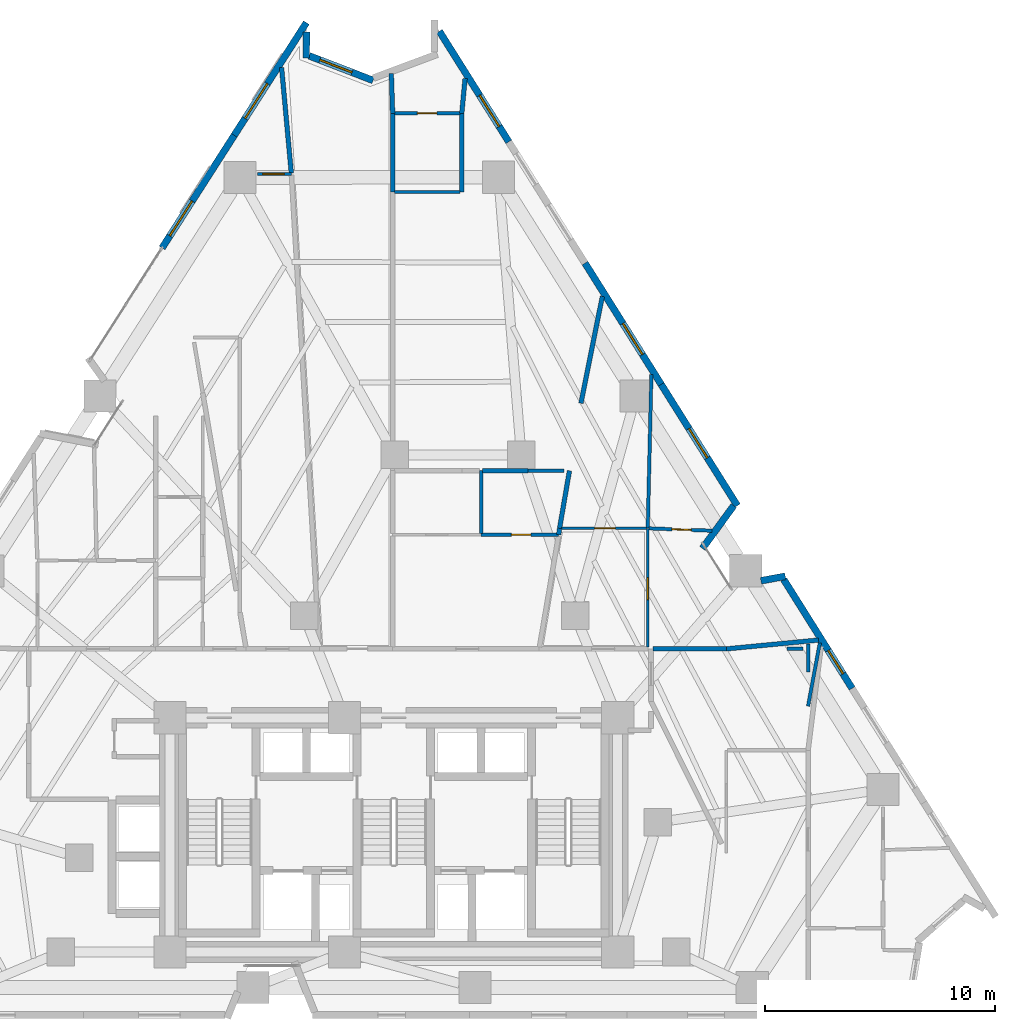
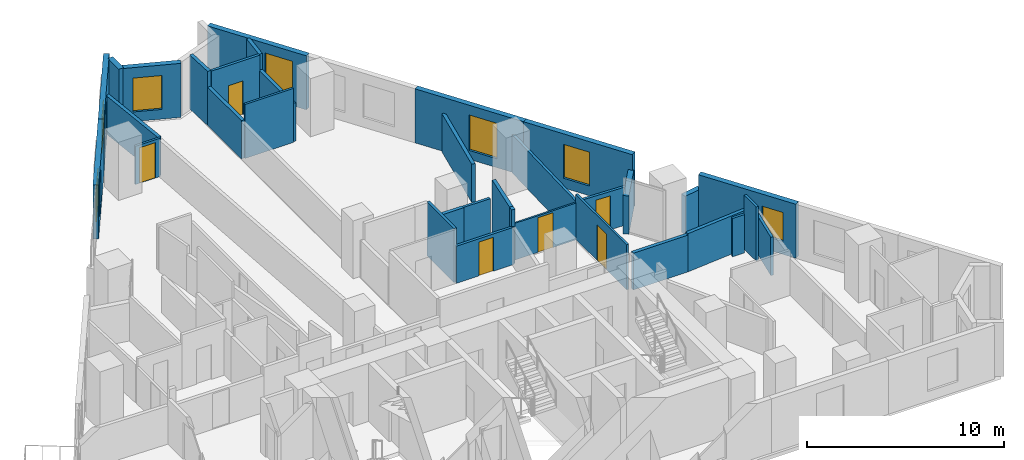
# One storey, part 9 of 14: 34 walls, 7 windows, 6 doors, 13 openings.
"""IFC4 building model written with IfcOpenShell, lengths in metres."""

import ifcopenshell
import ifcopenshell.guid

model = None  # the IFC model being written
_history = None  # IfcOwnerHistory: only IFC2X3 demands one
_inside = {}  # id of a spatial element -> (the spatial element, [elements in it])
_under = {}  # id of a project, library or spatial element -> (it, [spatial elements below it])
_declared = {}  # id of a project -> (the project, [libraries it declares])
_typed = {}  # id of a type object -> (the type object, [elements of that type])
_made_of = {}  # id of a material, layer set ... -> (it, [elements and type objects made of it])


def new_model(schema):
    """Start an empty IFC model of exactly this schema.

    Asked for "IFC4X3", IfcOpenShell would pick the latest addendum, in which some entities
    have other attributes; the version numbers below select the first issue.
    IFC2X3 requires an IfcOwnerHistory on every rooted entity: one is made here for all.
    """
    global model, _history
    if schema == "IFC4X3":
        model = ifcopenshell.file(schema_version=(4, 3, 0, 0))
    else:
        model = ifcopenshell.file(schema=schema)
    _inside.clear()
    _under.clear()
    _declared.clear()
    _typed.clear()
    _made_of.clear()
    _history = None
    if model.schema == "IFC2X3":
        org = make("IfcOrganization", Name="unknown")
        user = make(
            "IfcPersonAndOrganization",
            ThePerson=make("IfcPerson", FamilyName="unknown"),
            TheOrganization=org,
        )
        app = make(
            "IfcApplication",
            ApplicationDeveloper=org,
            Version="unknown",
            ApplicationFullName="unknown",
            ApplicationIdentifier="unknown",
        )
        _history = make(
            "IfcOwnerHistory",
            OwningUser=user,
            OwningApplication=app,
            ChangeAction="ADDED",
            CreationDate=0,
        )
    return model


def make(cls, **values):
    """One entity of the class cls with the attributes given. An attribute that is None is left unset."""
    return model.create_entity(
        cls, **{name: value for name, value in values.items() if value is not None}
    )


def rooted(cls, **values):
    """An entity with a GlobalId (a new one), such as an element, a storey or a relation."""
    return make(cls, GlobalId=ifcopenshell.guid.new(), OwnerHistory=_history, **values)


def si_unit(unit_type, name, prefix=None):
    """IfcSIUnit, for example si_unit("LENGTHUNIT", "METRE", prefix="MILLI")."""
    return make("IfcSIUnit", UnitType=unit_type, Prefix=prefix, Name=name)


def assignment(units):
    """IfcUnitAssignment: the units of a project."""
    return None if units is None else make("IfcUnitAssignment", Units=units)


def point(xyz):
    """IfcCartesianPoint."""
    return None if xyz is None else make("IfcCartesianPoint", Coordinates=xyz)


def direction(xyz):
    """IfcDirection."""
    return None if xyz is None else make("IfcDirection", DirectionRatios=xyz)


def frame(location, z_axis=None, x_axis=None):
    """IfcAxis2Placement3D, a coordinate frame: its origin and axes. An axis left out is left unset."""
    return make(
        "IfcAxis2Placement3D",
        Location=point(location),
        Axis=direction(z_axis),
        RefDirection=direction(x_axis),
    )


def frame_2d(location, x_axis=None):
    """IfcAxis2Placement2D, a coordinate frame in the plane: its origin and x axis."""
    return make(
        "IfcAxis2Placement2D", Location=point(location), RefDirection=direction(x_axis)
    )


def origin():
    """The frame at (0, 0, 0) with its axes left unset."""
    return frame((0.0, 0.0, 0.0))


def place(relative_to, where):
    """IfcLocalPlacement: puts the frame where relative to a parent placement (None: the world)."""
    return make(
        "IfcLocalPlacement", PlacementRelTo=relative_to, RelativePlacement=where
    )


def context(
    kind, dimensions, precision=None, world=None, true_north=None, identifier=None
):
    """IfcGeometricRepresentationContext, for example the 3D "Model" context."""
    return make(
        "IfcGeometricRepresentationContext",
        ContextIdentifier=identifier,
        ContextType=kind,
        CoordinateSpaceDimension=dimensions,
        Precision=precision,
        WorldCoordinateSystem=world,
        TrueNorth=true_north,
    )


def subcontext(parent, identifier, kind, view, scale=None):
    """IfcGeometricRepresentationSubContext, for example "Body" below "Model"."""
    return make(
        "IfcGeometricRepresentationSubContext",
        ContextIdentifier=identifier,
        ContextType=kind,
        ParentContext=parent,
        TargetScale=scale,
        TargetView=view,
    )


def project(units=None, contexts=None):
    """IfcProject with its units and contexts."""
    return rooted(
        "IfcProject",
        Name="project",
        RepresentationContexts=contexts,
        UnitsInContext=assignment(units),
    )


def spatial(cls, under=None, at=None, **own):
    """A site, building, storey or space (cls), placed at a placement, below another one or the project."""
    s = rooted(cls, ObjectPlacement=at, **own)
    if under is not None:
        _under.setdefault(under.id(), (under, []))[1].append(s)
    return s


def profile(cls, at=None, kind="AREA", **sizes):
    """A parametric profile (cls). Its sizes go by their IFC names, for example OverallWidth=200.0."""
    return make(cls, ProfileType=kind, Position=at, **sizes)


def rectangle(**sizes):
    """IfcRectangleProfileDef."""
    return profile("IfcRectangleProfileDef", **sizes)


def extrude(swept, where, along, depth):
    """IfcExtrudedAreaSolid: the profile swept, set in the frame where, extruded along a direction by depth."""
    return make(
        "IfcExtrudedAreaSolid",
        SweptArea=swept,
        Position=where,
        ExtrudedDirection=direction(along),
        Depth=depth,
    )


def shape(context_of_items, identifier, shape_type, items):
    """IfcShapeRepresentation: the items that make up one representation, for example the "Body"."""
    return make(
        "IfcShapeRepresentation",
        ContextOfItems=context_of_items,
        RepresentationIdentifier=identifier,
        RepresentationType=shape_type,
        Items=items,
    )


def material(Name=None, Category=None):
    """IfcMaterial."""
    return make("IfcMaterial", Name=Name, Category=Category)


def layer(
    of_material, thickness, ventilated=None, Name=None, Category=None, Priority=None
):
    """IfcMaterialLayer: one layer of a wall or slab, of a material (None: an air gap)."""
    return make(
        "IfcMaterialLayer",
        Material=of_material,
        LayerThickness=thickness,
        IsVentilated=ventilated,
        Name=Name,
        Category=Category,
        Priority=Priority,
    )


def layer_set(layers, Name=None):
    """IfcMaterialLayerSet."""
    return make("IfcMaterialLayerSet", MaterialLayers=layers, LayerSetName=Name)


def made_of(thing, what):
    """Note that an element or type object is made of a material, layer set ...; save() writes the relation."""
    if what is not None:
        _made_of.setdefault(what.id(), (what, []))[1].append(thing)
    return thing


def type_object(cls, material=None, **own):
    """A type object (cls), such as IfcWallType, which elements share."""
    return made_of(rooted(cls, **own), material)


def element(
    cls,
    number,
    at=None,
    inside=None,
    cuts=None,
    type_object=None,
    material=None,
    context=None,
    identifier="Body",
    shape_type=None,
    held_by="IfcProductDefinitionShape",
    body=None,
    shapes=None,
    **own,
):
    """One element of the class cls, such as IfcWall. Its Tag is "e" and its number.

    at: its placement. inside: the storey or other place that contains it. cuts: it is an
    opening in that element (IfcRelVoidsElement). A single representation is given by context,
    identifier, shape_type and body (its items); several are given by shapes. held_by: the class
    of the entity that holds the representations. save() writes the other relations.
    """
    e = rooted(cls, Tag="e%d" % number, ObjectPlacement=at, **own)
    if body is not None:
        shapes = [shape(context, identifier, shape_type, body)]
    if shapes is not None:
        e.Representation = make(held_by, Representations=shapes)
    if inside is not None:
        _inside.setdefault(inside.id(), (inside, []))[1].append(e)
    if cuts is not None:
        rooted(
            "IfcRelVoidsElement", RelatingBuildingElement=cuts, RelatedOpeningElement=e
        )
    if type_object is not None:
        _typed.setdefault(type_object.id(), (type_object, []))[1].append(e)
    return made_of(e, material)


def fill(opening, filler):
    """IfcRelFillsElement: the door or window that sits in an opening."""
    return rooted(
        "IfcRelFillsElement",
        RelatingOpeningElement=opening,
        RelatedBuildingElement=filler,
    )


def aggregate(whole, parts):
    """IfcRelAggregates: a whole, such as a stair, and the parts it consists of."""
    return rooted("IfcRelAggregates", RelatingObject=whole, RelatedObjects=parts)


def save(model, path):
    """Write the relations noted so far, then the file.

    IfcRelAggregates (storeys below a building ...), IfcRelContainedInSpatialStructure (elements
    in a storey), IfcRelDefinesByType, IfcRelAssociatesMaterial and IfcRelDeclares: one each for
    every whole, place, type object, material and project.
    """
    for whole, parts in _under.values():
        aggregate(whole, parts)
    for where, things in _inside.values():
        rooted(
            "IfcRelContainedInSpatialStructure",
            RelatedElements=things,
            RelatingStructure=where,
        )
    for kind, things in _typed.values():
        rooted("IfcRelDefinesByType", RelatedObjects=things, RelatingType=kind)
    for what, things in _made_of.values():
        rooted("IfcRelAssociatesMaterial", RelatedObjects=things, RelatingMaterial=what)
    for by, libraries in _declared.values():
        rooted("IfcRelDeclares", RelatingContext=by, RelatedDefinitions=libraries)
    model.write(path)


model = new_model("IFC4")

# Units and contexts
model_context = context("Model", 3, precision=1e-05, world=origin(), true_north=direction((0.0, 1.0)))
body_context = subcontext(model_context, "Body", "Model", "MODEL_VIEW")
ifc_project = project(units=[si_unit("LENGTHUNIT", "METRE"), si_unit("AREAUNIT", "SQUARE_METRE"), si_unit("VOLUMEUNIT", "CUBIC_METRE"), si_unit("PLANEANGLEUNIT", "RADIAN"), si_unit("MASSUNIT", "GRAM", prefix="KILO")], contexts=[model_context])

# Site, building, storey
site_placement = place(None, origin())
site = spatial("IfcSite", under=ifc_project, at=site_placement, CompositionType="ELEMENT")
building_placement = place(site_placement, origin())
building = spatial("IfcBuilding", under=site, at=building_placement, Name="Almagre Mirador Tower", CompositionType="ELEMENT")
storey_placement = place(building_placement, frame((0.0, 0.0, 67.800048828125)))
storey = spatial("IfcBuildingStorey", under=building, at=storey_placement, Name="L16", CompositionType="ELEMENT", Elevation=67.800048828125)

# Wall, opening, window
ifc_material_1 = material(Name="Precast concrete C50/60", Category="concrete")
ifc_layer_1 = layer(ifc_material_1, 0.300048828125)
ifc_layer_set_1 = layer_set([ifc_layer_1], Name="Precast concrete C50/60")
wall_type_1 = type_object("IfcWallType", Name="WAL-EXT-300", PredefinedType="SOLIDWALL", material=ifc_layer_set_1)
wall_1_placement = place(storey_placement, frame((27.208984375, 35.2119140625, 0.0), z_axis=(0.0, 0.0, 1.0), x_axis=(0.539522163193, 0.841971398222, 0.0)))
wall_1 = element("IfcWall", 1, at=wall_1_placement, inside=storey, type_object=wall_type_1, Name="L16 expressed almagre precast frame wall 03", PredefinedType="SOLIDWALL", context=body_context, shape_type="SweptSolid", body=[
    extrude(rectangle(XDim=5.82568359375, YDim=0.300048828125, at=frame_2d((2.912841796875, 0.0))), origin(), (0.0, 0.0, 1.0), 3.349853515625),
])
opening_1_placement = place(wall_1_placement, frame((0.625, 0.0, 0.60009765625)))
opening_1 = element("IfcOpeningElement", 2, at=opening_1_placement, cuts=wall_1, Name="Opening WN-01", PredefinedType="OPENING", context=body_context, shape_type="SweptSolid", body=[
    extrude(rectangle(XDim=1.800048828125, YDim=2.10009765625, at=frame_2d((0.89990234375, 1.050048828125))), frame((0.0, 0.159902, 0.0), z_axis=(0.0, -1.0, 0.0), x_axis=(1.0, 0.0, 0.0)), (0.0, 0.0, 1.0), 0.320049),
])
ifc_material_2 = material(Name="Dark solar-control laminated hurricane glass", Category="glass")
window_type_1 = type_object("IfcWindowType", Name="WIN-1800X2100", PartitioningType="DOUBLE_PANEL_VERTICAL", PredefinedType="WINDOW", material=ifc_material_2)
window_1_placement = place(opening_1_placement, origin())
window_1 = element("IfcWindow", 3, at=window_1_placement, inside=storey, type_object=window_type_1, Name="L16 recessed hurricane window L16-UK-MB", OverallHeight=2.10009765625, OverallWidth=1.800048828125, PartitioningType="SINGLE_PANEL", PredefinedType="WINDOW", context=body_context, shape_type="SweptSolid", body=[
    extrude(rectangle(XDim=1.800048828125, YDim=2.10009765625, at=frame_2d((0.89990234375, 1.050048828125))), frame((0.0, 0.030029296875, 0.0), z_axis=(0.0, -1.0, 0.0), x_axis=(1.0, 0.0, 0.0)), (0.0, 0.0, 1.0), 0.06005859375),
])
fill(opening_1, window_1)

wall_2_placement = place(storey_placement, frame((30.35205078125, 40.116943359375, 0.0), z_axis=(0.0, 0.0, 1.0), x_axis=(0.539522163193, 0.841971398222, 0.0)))
wall_2 = element("IfcWall", 4, at=wall_2_placement, inside=storey, type_object=wall_type_1, Name="L16 expressed almagre precast frame wall 04", PredefinedType="SOLIDWALL", context=body_context, shape_type="SweptSolid", body=[
    extrude(rectangle(XDim=5.82568359375, YDim=0.300048828125, at=frame_2d((2.912841796875, 0.0))), origin(), (0.0, 0.0, 1.0), 3.349853515625),
])
opening_2_placement = place(wall_2_placement, frame((0.875, 0.0, 0.60009765625)))
opening_2 = element("IfcOpeningElement", 5, at=opening_2_placement, cuts=wall_2, Name="Opening WN-01", PredefinedType="OPENING", context=body_context, shape_type="SweptSolid", body=[
    extrude(rectangle(XDim=1.800048828125, YDim=2.10009765625, at=frame_2d((0.89990234375, 1.050048828125))), frame((0.0, 0.159902, 0.0), z_axis=(0.0, -1.0, 0.0), x_axis=(1.0, 0.0, 0.0)), (0.0, 0.0, 1.0), 0.320049),
])
window_2_placement = place(opening_2_placement, origin())
window_2 = element("IfcWindow", 6, at=window_2_placement, inside=storey, type_object=window_type_1, Name="L16 recessed hurricane window L16-UK-KT", OverallHeight=2.10009765625, OverallWidth=1.800048828125, PartitioningType="SINGLE_PANEL", PredefinedType="WINDOW", context=body_context, shape_type="SweptSolid", body=[
    extrude(rectangle(XDim=1.800048828125, YDim=2.10009765625, at=frame_2d((0.89990234375, 1.050048828125))), frame((0.0, 0.030029296875, 0.0), z_axis=(0.0, -1.0, 0.0), x_axis=(1.0, 0.0, 0.0)), (0.0, 0.0, 1.0), 0.06005859375),
])
fill(opening_2, window_2)

# Wall
wall_3_placement = place(storey_placement, frame((33.492919921875, 44.612060546875, 0.0), z_axis=(0.0, 0.0, 1.0), x_axis=(-0.004991257271, -0.999987543598, 0.0)))
element("IfcWall", 7, at=wall_3_placement, inside=storey, type_object=wall_type_1, Name="L16 expressed almagre precast frame wall 05", PredefinedType="SOLIDWALL", context=body_context, shape_type="SweptSolid", body=[
    extrude(rectangle(XDim=1.125, YDim=0.300048828125, at=frame_2d((0.5625, 0.0))), origin(), (0.0, 0.0, 1.0), 3.349853515625),
])

# Wall, opening, window
wall_4_placement = place(storey_placement, frame((33.614013671875, 43.57861328125, 0.0), z_axis=(0.0, 0.0, 1.0), x_axis=(0.933166321884, -0.359444871576, 0.0)))
wall_4 = element("IfcWall", 8, at=wall_4_placement, inside=storey, type_object=wall_type_1, Name="L16 expressed almagre precast frame wall 06", PredefinedType="SOLIDWALL", context=body_context, shape_type="SweptSolid", body=[
    extrude(rectangle(XDim=2.985107421875, YDim=0.300048828125, at=frame_2d((1.49267578125, 0.0))), origin(), (0.0, 0.0, 1.0), 3.349853515625),
])
opening_3_placement = place(wall_4_placement, frame((0.5, 0.0, 0.60009765625)))
opening_3 = element("IfcOpeningElement", 9, at=opening_3_placement, cuts=wall_4, Name="Opening WN-03", PredefinedType="OPENING", context=body_context, shape_type="SweptSolid", body=[
    extrude(rectangle(XDim=1.5, YDim=2.10009765625, at=frame_2d((0.75, 1.050048828125))), frame((0.0, 0.159902, 0.0), z_axis=(0.0, -1.0, 0.0), x_axis=(1.0, 0.0, 0.0)), (0.0, 0.0, 1.0), 0.320049),
])
ifc_material_3 = material(Name="Dark solar-control laminated hurricane glass", Category="glass")
window_type_2 = type_object("IfcWindowType", Name="WIN-1500X2100", PartitioningType="DOUBLE_PANEL_VERTICAL", PredefinedType="WINDOW", material=ifc_material_3)
window_3_placement = place(opening_3_placement, origin())
window_3 = element("IfcWindow", 10, at=window_3_placement, inside=storey, type_object=window_type_2, Name="L16 recessed hurricane window L16-RST-L", OverallHeight=2.10009765625, OverallWidth=1.5, PartitioningType="SINGLE_PANEL", PredefinedType="WINDOW", context=body_context, shape_type="SweptSolid", body=[
    extrude(rectangle(XDim=1.5, YDim=2.10009765625, at=frame_2d((0.75, 1.050048828125))), frame((0.0, 0.030029296875, 0.0), z_axis=(0.0, -1.0, 0.0), x_axis=(1.0, 0.0, 0.0)), (0.0, 0.0, 1.0), 0.06005859375),
])
fill(opening_3, window_3)

wall_5_placement = place(storey_placement, frame((39.283935546875, 44.64990234375, 0.0), z_axis=(0.0, 0.0, 1.0), x_axis=(0.531922759959, -0.846792877531, 0.0)))
wall_5 = element("IfcWall", 11, at=wall_5_placement, inside=storey, type_object=wall_type_1, Name="L16 expressed almagre precast frame wall 09", PredefinedType="SOLIDWALL", context=body_context, shape_type="SweptSolid", body=[
    extrude(rectangle(XDim=5.68798828125, YDim=0.300048828125, at=frame_2d((2.843994140625, 0.0))), origin(), (0.0, 0.0, 1.0), 3.349853515625),
])
opening_4_placement = place(wall_5_placement, frame((3.300048828125, 0.0, 0.550048828125)))
opening_4 = element("IfcOpeningElement", 12, at=opening_4_placement, cuts=wall_5, Name="Opening WN-06", PredefinedType="OPENING", context=body_context, shape_type="SweptSolid", body=[
    extrude(rectangle(XDim=1.60009765625, YDim=2.199951171875, at=frame_2d((0.800048828125, 1.10009765625))), frame((0.0, 0.159902, 0.0), z_axis=(0.0, -1.0, 0.0), x_axis=(1.0, 0.0, 0.0)), (0.0, 0.0, 1.0), 0.320049),
])
ifc_material_4 = material(Name="Dark solar-control laminated hurricane glass", Category="glass")
window_type_3 = type_object("IfcWindowType", Name="WIN-1600X2200", PartitioningType="DOUBLE_PANEL_VERTICAL", PredefinedType="WINDOW", material=ifc_material_4)
window_4_placement = place(opening_4_placement, origin())
window_4 = element("IfcWindow", 13, at=window_4_placement, inside=storey, type_object=window_type_3, Name="L16 recessed hurricane window L16-UM-LV", OverallHeight=2.199951171875, OverallWidth=1.60009765625, PartitioningType="SINGLE_PANEL", PredefinedType="WINDOW", context=body_context, shape_type="SweptSolid", body=[
    extrude(rectangle(XDim=1.60009765625, YDim=2.199951171875, at=frame_2d((0.800048828125, 1.10009765625))), frame((0.0, 0.030029296875, 0.0), z_axis=(0.0, -1.0, 0.0), x_axis=(1.0, 0.0, 0.0)), (0.0, 0.0, 1.0), 0.06005859375),
])
fill(opening_4, window_4)

wall_6_placement = place(storey_placement, frame((45.62744140625, 34.551025390625, 0.0), z_axis=(0.0, 0.0, 1.0), x_axis=(0.531925449882, -0.846791187819, 0.0)))
wall_6 = element("IfcWall", 14, at=wall_6_placement, inside=storey, type_object=wall_type_1, Name="L16 expressed almagre precast frame wall 11", PredefinedType="SOLIDWALL", context=body_context, shape_type="SweptSolid", body=[
    extrude(rectangle(XDim=6.238037109375, YDim=0.300048828125, at=frame_2d((3.119140625, 0.0))), origin(), (0.0, 0.0, 1.0), 3.349853515625),
])
opening_5_placement = place(wall_6_placement, frame((3.10009765625, 0.0, 0.550048828125)))
opening_5 = element("IfcOpeningElement", 15, at=opening_5_placement, cuts=wall_6, Name="Opening WN-06", PredefinedType="OPENING", context=body_context, shape_type="SweptSolid", body=[
    extrude(rectangle(XDim=1.60009765625, YDim=2.199951171875, at=frame_2d((0.800048828125, 1.10009765625))), frame((0.0, 0.159902, 0.0), z_axis=(0.0, -1.0, 0.0), x_axis=(1.0, 0.0, 0.0)), (0.0, 0.0, 1.0), 0.320049),
])
window_5_placement = place(opening_5_placement, origin())
window_5 = element("IfcWindow", 16, at=window_5_placement, inside=storey, type_object=window_type_3, Name="L16 recessed hurricane window L16-UJ-B1", OverallHeight=2.199951171875, OverallWidth=1.60009765625, PartitioningType="SINGLE_PANEL", PredefinedType="WINDOW", context=body_context, shape_type="SweptSolid", body=[
    extrude(rectangle(XDim=1.60009765625, YDim=2.199951171875, at=frame_2d((0.800048828125, 1.10009765625))), frame((0.0, 0.030029296875, 0.0), z_axis=(0.0, -1.0, 0.0), x_axis=(1.0, 0.0, 0.0)), (0.0, 0.0, 1.0), 0.06005859375),
])
fill(opening_5, window_5)

wall_7_placement = place(storey_placement, frame((48.945556640625, 29.268798828125, 0.0), z_axis=(0.0, 0.0, 1.0), x_axis=(0.531879756562, -0.84681988909, 0.0)))
wall_7 = element("IfcWall", 17, at=wall_7_placement, inside=storey, type_object=wall_type_1, Name="L16 expressed almagre precast frame wall 12", PredefinedType="SOLIDWALL", context=body_context, shape_type="SweptSolid", body=[
    extrude(rectangle(XDim=6.238037109375, YDim=0.300048828125, at=frame_2d((3.119140625, 0.0))), origin(), (0.0, 0.0, 1.0), 3.349853515625),
])
opening_6_placement = place(wall_7_placement, frame((2.27490234375, 0.0, 0.60009765625)))
opening_6 = element("IfcOpeningElement", 18, at=opening_6_placement, cuts=wall_7, Name="Opening WN-03", PredefinedType="OPENING", context=body_context, shape_type="SweptSolid", body=[
    extrude(rectangle(XDim=1.5, YDim=2.10009765625, at=frame_2d((0.75, 1.050048828125))), frame((0.0, 0.159902, 0.0), z_axis=(0.0, -1.0, 0.0), x_axis=(1.0, 0.0, 0.0)), (0.0, 0.0, 1.0), 0.320049),
])
window_6_placement = place(opening_6_placement, origin())
window_6 = element("IfcWindow", 19, at=window_6_placement, inside=storey, type_object=window_type_2, Name="L16 recessed hurricane window L16-UJ-BT", OverallHeight=2.10009765625, OverallWidth=1.5, PartitioningType="SINGLE_PANEL", PredefinedType="WINDOW", context=body_context, shape_type="SweptSolid", body=[
    extrude(rectangle(XDim=1.5, YDim=2.10009765625, at=frame_2d((0.75, 1.050048828125))), frame((0.0, 0.030029296875, 0.0), z_axis=(0.0, -1.0, 0.0), x_axis=(1.0, 0.0, 0.0)), (0.0, 0.0, 1.0), 0.06005859375),
])
fill(opening_6, window_6)

# Walls
wall_8_placement = place(storey_placement, frame((52.1064453125, 23.991943359375, 0.0), z_axis=(0.0, 0.0, 1.0), x_axis=(-0.590553579903, -0.806998432008, 0.0)))
element("IfcWall", 20, at=wall_8_placement, inside=storey, type_object=wall_type_1, Name="L16 expressed almagre precast frame wall 13", PredefinedType="SOLIDWALL", context=body_context, shape_type="SweptSolid", body=[
    extrude(rectangle(XDim=2.3134765625, YDim=0.300048828125, at=frame_2d((1.15673828125, 0.0))), origin(), (0.0, 0.0, 1.0), 2.375),
])
wall_9_placement = place(storey_placement, frame((53.2880859375, 20.7177734375, 0.0), z_axis=(0.0, 0.0, 1.0), x_axis=(0.983391514364, 0.181496913135, 0.0)))
element("IfcWall", 21, at=wall_9_placement, inside=storey, type_object=wall_type_1, Name="L16 expressed almagre precast frame wall 14", PredefinedType="SOLIDWALL", context=body_context, shape_type="SweptSolid", body=[
    extrude(rectangle(XDim=1.077392578125, YDim=0.300048828125, at=frame_2d((0.53857421875, 0.0))), origin(), (0.0, 0.0, 1.0), 2.375),
])

# Wall, opening, window
wall_10_placement = place(storey_placement, frame((54.28173828125, 20.773681640625, 0.0), z_axis=(0.0, 0.0, 1.0), x_axis=(0.531894679413, -0.846810516002, 0.0)))
wall_10 = element("IfcWall", 22, at=wall_10_placement, inside=storey, type_object=wall_type_1, Name="L16 expressed almagre precast frame wall 15", PredefinedType="SOLIDWALL", context=body_context, shape_type="SweptSolid", body=[
    extrude(rectangle(XDim=5.598876953125, YDim=0.300048828125, at=frame_2d((2.79931640625, 0.0))), origin(), (0.0, 0.0, 1.0), 3.349853515625),
])
opening_7_placement = place(wall_10_placement, frame((3.64990234375, 0.0, 0.800048828125)))
opening_7 = element("IfcOpeningElement", 23, at=opening_7_placement, cuts=wall_10, Name="Opening WN-04", PredefinedType="OPENING", context=body_context, shape_type="SweptSolid", body=[
    extrude(rectangle(XDim=1.199951171875, YDim=1.800048828125, at=frame_2d((0.60009765625, 0.89990234375))), frame((0.0, 0.159902, 0.0), z_axis=(0.0, -1.0, 0.0), x_axis=(1.0, 0.0, 0.0)), (0.0, 0.0, 1.0), 0.320049),
])
ifc_material_5 = material(Name="Dark solar-control laminated hurricane glass", Category="glass")
window_type_4 = type_object("IfcWindowType", Name="WIN-1200X1800", PartitioningType="SINGLE_PANEL", PredefinedType="WINDOW", material=ifc_material_5)
window_7_placement = place(opening_7_placement, origin())
window_7 = element("IfcWindow", 24, at=window_7_placement, inside=storey, type_object=window_type_4, Name="L16 recessed hurricane window L16-UC-LV", OverallHeight=1.800048828125, OverallWidth=1.199951171875, PartitioningType="SINGLE_PANEL", PredefinedType="WINDOW", context=body_context, shape_type="SweptSolid", body=[
    extrude(rectangle(XDim=1.199951171875, YDim=1.800048828125, at=frame_2d((0.60009765625, 0.89990234375))), frame((0.0, 0.030029296875, 0.0), z_axis=(0.0, -1.0, 0.0), x_axis=(1.0, 0.0, 0.0)), (0.0, 0.0, 1.0), 0.06005859375),
])
fill(opening_7, window_7)

# Wall, opening, door
ifc_material_6 = material(Name="Gypsum acoustic stud partition", Category="other")
ifc_layer_2 = layer(ifc_material_6, 0.10009765625)
ifc_layer_set_2 = layer_set([ifc_layer_2], Name="Gypsum acoustic stud partition")
wall_type_2 = type_object("IfcWallType", Name="WAL-PRT-100-CLS", PredefinedType="PARTITIONING", material=ifc_layer_set_2)
wall_11_placement = place(storey_placement, frame((48.3125, 23.0, 0.0), z_axis=(0.0, 0.0, 1.0), x_axis=(-1.0, 0.0, 0.0)))
wall_11 = element("IfcWall", 25, at=wall_11_placement, inside=storey, type_object=wall_type_2, Name="L16 interior partition 065", PredefinedType="PARTITIONING", context=body_context, shape_type="SweptSolid", body=[
    extrude(rectangle(XDim=3.70751953125, YDim=0.10009765625, at=frame_2d((1.853759765625, 0.0))), origin(), (0.0, 0.0, 1.0), 2.279052734375),
])
opening_8_placement = place(wall_11_placement, frame((1.36474609375, 0.0, 0.0)))
opening_8 = element("IfcOpeningElement", 26, at=opening_8_placement, cuts=wall_11, Name="Opening UD-02", PredefinedType="OPENING", context=body_context, shape_type="SweptSolid", body=[
    extrude(rectangle(XDim=0.89990234375, YDim=2.14990234375, at=frame_2d((0.449951171875, 1.074951171875))), frame((0.0, 0.060049, 0.0), z_axis=(0.0, -1.0, 0.0), x_axis=(1.0, 0.0, 0.0)), (0.0, 0.0, 1.0), 0.120098),
])
ifc_material_7 = material(Name="Solid American walnut timber", Category="wood")
door_type_1 = type_object("IfcDoorType", Name="DOR-UNR-900X2150", OperationType="NOTDEFINED", PredefinedType="DOOR", material=ifc_material_7)
door_1_placement = place(opening_8_placement, origin())
door_1 = element("IfcDoor", 27, at=door_1_placement, inside=storey, type_object=door_type_1, Name="DR-0557 L16 interior door L16-UJ-LV to L16-UJ-B1", OperationType="SINGLE_SWING_RIGHT", OverallHeight=2.14990234375, OverallWidth=0.89990234375, PredefinedType="DOOR", context=body_context, shape_type="SweptSolid", body=[
    extrude(rectangle(XDim=0.89990234375, YDim=2.14990234375, at=frame_2d((0.449951171875, 1.074951171875))), frame((0.0, 0.02490234375, 0.0), z_axis=(0.0, -1.0, 0.0), x_axis=(1.0, 0.0, 0.0)), (0.0, 0.0, 1.0), 0.050048828125),
])
fill(opening_8, door_1)

ifc_material_8 = material(Name="Gypsum acoustic stud partition", Category="other")
ifc_layer_3 = layer(ifc_material_8, 0.125)
ifc_layer_set_3 = layer_set([ifc_layer_3], Name="Gypsum acoustic stud partition")
wall_type_3 = type_object("IfcWallType", Name="WAL-PRT-125-UTL", PredefinedType="PARTITIONING", material=ifc_layer_set_3)
wall_12_placement = place(storey_placement, frame((48.360107421875, 17.8349609375, 0.0), z_axis=(0.0, 0.0, 1.0), x_axis=(0.0, 1.0, 0.0)))
wall_12 = element("IfcWall", 28, at=wall_12_placement, inside=storey, type_object=wall_type_3, Name="L16 interior partition 064", PredefinedType="PARTITIONING", context=body_context, shape_type="SweptSolid", body=[
    extrude(rectangle(XDim=5.1650390625, YDim=0.125, at=frame_2d((2.58251953125, 0.0))), origin(), (0.0, 0.0, 1.0), 2.786865234375),
])
opening_9_placement = place(wall_12_placement, frame((2.06494140625, 0.0, 0.0)))
opening_9 = element("IfcOpeningElement", 29, at=opening_9_placement, cuts=wall_12, Name="Opening UD-01", PredefinedType="OPENING", context=body_context, shape_type="SweptSolid", body=[
    extrude(rectangle(XDim=0.949951171875, YDim=2.199951171875, at=frame_2d((0.47509765625, 1.10009765625))), frame((0.0, 0.0725, 0.0), z_axis=(0.0, -1.0, 0.0), x_axis=(1.0, 0.0, 0.0)), (0.0, 0.0, 1.0), 0.145),
])
ifc_material_9 = material(Name="Solid American walnut timber", Category="wood")
door_type_2 = type_object("IfcDoorType", Name="DOR-UNR-950X2200", OperationType="NOTDEFINED", PredefinedType="DOOR", material=ifc_material_9)
door_2_placement = place(opening_9_placement, origin())
door_2 = element("IfcDoor", 30, at=door_2_placement, inside=storey, type_object=door_type_2, Name="DR-0555 L16 interior door L16-UJ-LV to L16-UJ-KT", OperationType="SINGLE_SWING_RIGHT", OverallHeight=2.199951171875, OverallWidth=0.949951171875, PredefinedType="DOOR", context=body_context, shape_type="SweptSolid", body=[
    extrude(rectangle(XDim=0.949951171875, YDim=2.199951171875, at=frame_2d((0.47509765625, 1.10009765625))), frame((0.0, 0.02490234375, 0.0), z_axis=(0.0, -1.0, 0.0), x_axis=(1.0, 0.0, 0.0)), (0.0, 0.0, 1.0), 0.050048828125),
])
fill(opening_9, door_2)

wall_13_placement = place(storey_placement, frame((32.840087890625, 38.429931640625, 0.0), z_axis=(0.0, 0.0, 1.0), x_axis=(-1.0, 0.0, 0.0)))
wall_13 = element("IfcWall", 31, at=wall_13_placement, inside=storey, type_object=wall_type_3, Name="L16 interior partition 070", PredefinedType="PARTITIONING", context=body_context, shape_type="SweptSolid", body=[
    extrude(rectangle(XDim=1.47998046875, YDim=0.125, at=frame_2d((0.739990234375, 0.0))), origin(), (0.0, 0.0, 1.0), 2.369873046875),
])
opening_10_placement = place(wall_13_placement, frame((0.306640625, 0.0, 0.0)))
opening_10 = element("IfcOpeningElement", 32, at=opening_10_placement, cuts=wall_13, Name="Opening UD-01", PredefinedType="OPENING", context=body_context, shape_type="SweptSolid", body=[
    extrude(rectangle(XDim=0.949951171875, YDim=2.199951171875, at=frame_2d((0.47509765625, 1.10009765625))), frame((0.0, 0.0725, 0.0), z_axis=(0.0, -1.0, 0.0), x_axis=(1.0, 0.0, 0.0)), (0.0, 0.0, 1.0), 0.145),
])
door_3_placement = place(opening_10_placement, origin())
door_3 = element("IfcDoor", 33, at=door_3_placement, inside=storey, type_object=door_type_2, Name="DR-0559 L16 interior door L16-UK-LV to L16-UK-KT", OperationType="SINGLE_SWING_RIGHT", OverallHeight=2.199951171875, OverallWidth=0.949951171875, PredefinedType="DOOR", context=body_context, shape_type="SweptSolid", body=[
    extrude(rectangle(XDim=0.949951171875, YDim=2.199951171875, at=frame_2d((0.47509765625, 1.10009765625))), frame((0.0, 0.02490234375, 0.0), z_axis=(0.0, -1.0, 0.0), x_axis=(1.0, 0.0, 0.0)), (0.0, 0.0, 1.0), 0.050048828125),
])
fill(opening_10, door_3)

# Wall
wall_14_placement = place(storey_placement, frame((40.175048828125, 37.64990234375, 0.0), z_axis=(0.0, 0.0, 1.0), x_axis=(-1.0, 0.0, 0.0)))
element("IfcWall", 34, at=wall_14_placement, inside=storey, type_object=wall_type_3, Name="L16 interior partition 087", PredefinedType="PARTITIONING", context=body_context, shape_type="SweptSolid", body=[
    extrude(rectangle(XDim=2.840087890625, YDim=0.125, at=frame_2d((1.419921875, 0.0))), origin(), (0.0, 0.0, 1.0), 3.349853515625),
])

# Wall, opening, door
ifc_material_10 = material(Name="Gypsum acoustic stud partition", Category="other")
ifc_layer_4 = layer(ifc_material_10, 0.14990234375)
ifc_layer_set_4 = layer_set([ifc_layer_4], Name="Gypsum acoustic stud partition")
wall_type_4 = type_object("IfcWallType", Name="WAL-PRT-150-STD", PredefinedType="PARTITIONING", material=ifc_layer_set_4)
wall_15_placement = place(storey_placement, frame((44.47998046875, 22.719970703125, 0.0), z_axis=(0.0, 0.0, 1.0), x_axis=(-1.0, 0.0, 0.0)))
wall_15 = element("IfcWall", 35, at=wall_15_placement, inside=storey, type_object=wall_type_4, Name="L16 interior partition 054", PredefinedType="PARTITIONING", context=body_context, shape_type="SweptSolid", body=[
    extrude(rectangle(XDim=3.3798828125, YDim=0.14990234375, at=frame_2d((1.68994140625, 0.0))), origin(), (0.0, 0.0, 1.0), 2.308837890625),
])
opening_11_placement = place(wall_15_placement, frame((1.205810546875, 0.0, 0.0)))
opening_11 = element("IfcOpeningElement", 36, at=opening_11_placement, cuts=wall_15, Name="Opening UD-04", PredefinedType="OPENING", context=body_context, shape_type="SweptSolid", body=[
    extrude(rectangle(XDim=0.85009765625, YDim=2.10009765625, at=frame_2d((0.425048828125, 1.050048828125))), frame((0.0, 0.084951, 0.0), z_axis=(0.0, -1.0, 0.0), x_axis=(1.0, 0.0, 0.0)), (0.0, 0.0, 1.0), 0.169902),
])
ifc_material_11 = material(Name="Moisture-resistant oak timber", Category="wood")
door_type_3 = type_object("IfcDoorType", Name="DOR-UNR-850X2100", OperationType="NOTDEFINED", PredefinedType="DOOR", material=ifc_material_11)
door_4_placement = place(opening_11_placement, origin())
door_4 = element("IfcDoor", 37, at=door_4_placement, inside=storey, type_object=door_type_3, Name="DR-0553 L16 interior door L16-UH-ST to L16-UH-BT", OperationType="SINGLE_SWING_RIGHT", OverallHeight=2.10009765625, OverallWidth=0.85009765625, PredefinedType="DOOR", context=body_context, shape_type="SweptSolid", body=[
    extrude(rectangle(XDim=0.85009765625, YDim=2.10009765625, at=frame_2d((0.425048828125, 1.050048828125))), frame((0.0, 0.02490234375, 0.0), z_axis=(0.0, -1.0, 0.0), x_axis=(1.0, 0.0, 0.0)), (0.0, 0.0, 1.0), 0.050048828125),
])
fill(opening_11, door_4)

# Wall
wall_16_placement = place(storey_placement, frame((41.10009765625, 22.767578125, 0.0), z_axis=(0.0, 0.0, 1.0), x_axis=(0.0, 1.0, 0.0)))
element("IfcWall", 38, at=wall_16_placement, inside=storey, type_object=wall_type_4, Name="L16 interior partition 057", PredefinedType="PARTITIONING", context=body_context, shape_type="SweptSolid", body=[
    extrude(rectangle(XDim=2.742431640625, YDim=0.14990234375, at=frame_2d((1.37109375, 0.0))), origin(), (0.0, 0.0, 1.0), 3.349853515625),
])

# Wall, opening, door
wall_17_placement = place(storey_placement, frame((48.407470703125, 22.99853515625, 0.0), z_axis=(0.0, 0.0, 1.0), x_axis=(0.999319441734, -0.036887035294, 0.0)))
wall_17 = element("IfcWall", 39, at=wall_17_placement, inside=storey, type_object=wall_type_4, Name="L16 interior partition 066", PredefinedType="PARTITIONING", context=body_context, shape_type="SweptSolid", body=[
    extrude(rectangle(XDim=2.75341796875, YDim=0.14990234375, at=frame_2d((1.376708984375, 0.0))), origin(), (0.0, 0.0, 1.0), 2.369873046875),
])
opening_12_placement = place(wall_17_placement, frame((1.007080078125, 0.0, 0.0)))
opening_12 = element("IfcOpeningElement", 40, at=opening_12_placement, cuts=wall_17, Name="Opening UD-04", PredefinedType="OPENING", context=body_context, shape_type="SweptSolid", body=[
    extrude(rectangle(XDim=0.85009765625, YDim=2.10009765625, at=frame_2d((0.425048828125, 1.050048828125))), frame((0.0, 0.084951, 0.0), z_axis=(0.0, -1.0, 0.0), x_axis=(1.0, 0.0, 0.0)), (0.0, 0.0, 1.0), 0.169902),
])
door_5_placement = place(opening_12_placement, origin())
door_5 = element("IfcDoor", 41, at=door_5_placement, inside=storey, type_object=door_type_3, Name="DR-0556 L16 interior door L16-UJ-BT to L16-UJ-KT", OperationType="SINGLE_SWING_LEFT", OverallHeight=2.10009765625, OverallWidth=0.85009765625, PredefinedType="DOOR", context=body_context, shape_type="SweptSolid", body=[
    extrude(rectangle(XDim=0.85009765625, YDim=2.10009765625, at=frame_2d((0.425048828125, 1.050048828125))), frame((0.0, 0.02490234375, 0.0), z_axis=(0.0, -1.0, 0.0), x_axis=(1.0, 0.0, 0.0)), (0.0, 0.0, 1.0), 0.050048828125),
])
fill(opening_12, door_5)

# Wall
wall_18_placement = place(storey_placement, frame((48.51708984375, 29.702880859375, 0.0), z_axis=(0.0, 0.0, 1.0), x_axis=(-0.023457271652, -0.999724840347, 0.0)))
element("IfcWall", 42, at=wall_18_placement, inside=storey, type_object=wall_type_4, Name="L16 interior partition 067", PredefinedType="PARTITIONING", context=body_context, shape_type="SweptSolid", body=[
    extrude(rectangle(XDim=6.6923828125, YDim=0.14990234375, at=frame_2d((3.34619140625, 0.0))), origin(), (0.0, 0.0, 1.0), 2.369873046875),
])

# Wall, opening, door
wall_19_placement = place(storey_placement, frame((40.175048828125, 41.070068359375, 0.0), z_axis=(0.0, 0.0, 1.0), x_axis=(-1.0, 0.0, 0.0)))
wall_19 = element("IfcWall", 43, at=wall_19_placement, inside=storey, type_object=wall_type_4, Name="L16 interior partition 088", PredefinedType="PARTITIONING", context=body_context, shape_type="SweptSolid", body=[
    extrude(rectangle(XDim=2.840087890625, YDim=0.14990234375, at=frame_2d((1.419921875, 0.0))), origin(), (0.0, 0.0, 1.0), 3.349853515625),
])
opening_13_placement = place(wall_19_placement, frame((0.9951171875, 0.0, 0.0)))
opening_13 = element("IfcOpeningElement", 44, at=opening_13_placement, cuts=wall_19, Name="Opening UD-04", PredefinedType="OPENING", context=body_context, shape_type="SweptSolid", body=[
    extrude(rectangle(XDim=0.85009765625, YDim=2.10009765625, at=frame_2d((0.425048828125, 1.050048828125))), frame((0.0, 0.084951, 0.0), z_axis=(0.0, -1.0, 0.0), x_axis=(1.0, 0.0, 0.0)), (0.0, 0.0, 1.0), 0.169902),
])
door_6_placement = place(opening_13_placement, origin())
door_6 = element("IfcDoor", 45, at=door_6_placement, inside=storey, type_object=door_type_3, Name="DR-0561 L16 interior door L16-UN-KT to L16-UN-BT", OperationType="SINGLE_SWING_RIGHT", OverallHeight=2.10009765625, OverallWidth=0.85009765625, PredefinedType="DOOR", context=body_context, shape_type="SweptSolid", body=[
    extrude(rectangle(XDim=0.85009765625, YDim=2.10009765625, at=frame_2d((0.425048828125, 1.050048828125))), frame((0.0, 0.02490234375, 0.0), z_axis=(0.0, -1.0, 0.0), x_axis=(1.0, 0.0, 0.0)), (0.0, 0.0, 1.0), 0.050048828125),
])
fill(opening_13, door_6)

# Walls
wall_20_placement = place(storey_placement, frame((55.340087890625, 15.2548828125, 0.0), z_axis=(0.0, 0.0, 1.0), x_axis=(0.183578983996, 0.98300496267, 0.0)))
element("IfcWall", 46, at=wall_20_placement, inside=storey, type_object=wall_type_4, Name="L16 interior partition 092", PredefinedType="PARTITIONING", context=body_context, shape_type="SweptSolid", body=[
    extrude(rectangle(XDim=2.8046875, YDim=0.14990234375, at=frame_2d((1.40234375, 0.0))), origin(), (0.0, 0.0, 1.0), 2.369873046875),
])
wall_21_placement = place(storey_placement, frame((55.125, 17.75, 0.0), z_axis=(0.0, 0.0, 1.0), x_axis=(-1.0, 0.0, 0.0)))
element("IfcWall", 47, at=wall_21_placement, inside=storey, type_object=wall_type_4, Name="L16 interior partition 093", PredefinedType="PARTITIONING", context=body_context, shape_type="SweptSolid", body=[
    extrude(rectangle(XDim=0.697998046875, YDim=0.14990234375, at=frame_2d((0.34912109375, 0.0))), origin(), (0.0, 0.0, 1.0), 2.369873046875),
])
wall_22_placement = place(storey_placement, frame((44.70703125, 25.510009765625, 0.0), z_axis=(0.0, 0.0, 1.0), x_axis=(-1.0, 0.0, 0.0)))
element("IfcWall", 48, at=wall_22_placement, inside=storey, type_object=wall_type_4, Name="L16 interior partition 094", PredefinedType="PARTITIONING", context=body_context, shape_type="SweptSolid", body=[
    extrude(rectangle(XDim=1.567138671875, YDim=0.14990234375, at=frame_2d((0.78369140625, 0.0))), origin(), (0.0, 0.0, 1.0), 2.308837890625),
])
wall_23_placement = place(storey_placement, frame((55.340087890625, 17.969482421875, 0.0), z_axis=(0.0, 0.0, 1.0), x_axis=(0.0, -1.0, 0.0)))
element("IfcWall", 49, at=wall_23_placement, inside=storey, type_object=wall_type_4, Name="L16 interior partition 901", PredefinedType="PARTITIONING", context=body_context, shape_type="SweptSolid", body=[
    extrude(rectangle(XDim=1.218994140625, YDim=0.14990234375, at=frame_2d((0.609375, 0.0))), origin(), (0.0, 0.0, 1.0), 3.349853515625),
])
ifc_material_12 = material(Name="Gypsum acoustic stud partition", Category="other")
ifc_layer_5 = layer(ifc_material_12, 0.199951171875)
ifc_layer_set_5 = layer_set([ifc_layer_5], Name="Gypsum acoustic stud partition")
wall_type_5 = type_object("IfcWallType", Name="WAL-PRT-200-EI60", PredefinedType="PARTITIONING", material=ifc_layer_set_5)
wall_24_placement = place(storey_placement, frame((51.780029296875, 17.75, 0.0), z_axis=(0.0, 0.0, 1.0), x_axis=(-1.0, 0.0, 0.0)))
element("IfcWall", 50, at=wall_24_placement, inside=storey, type_object=wall_type_5, Name="L16 interior partition 034", PredefinedType="PARTITIONING", context=body_context, shape_type="SweptSolid", body=[
    extrude(rectangle(XDim=3.195068359375, YDim=0.199951171875, at=frame_2d((1.59765625, 0.0))), origin(), (0.0, 0.0, 1.0), 2.279052734375),
])
wall_25_placement = place(storey_placement, frame((55.800048828125, 18.135009765625, 0.0), z_axis=(0.0, 0.0, 1.0), x_axis=(-0.99544506708, -0.095336868139, 0.0)))
element("IfcWall", 51, at=wall_25_placement, inside=storey, type_object=wall_type_5, Name="L16 interior partition 036", PredefinedType="PARTITIONING", context=body_context, shape_type="SweptSolid", body=[
    extrude(rectangle(XDim=4.038330078125, YDim=0.199951171875, at=frame_2d((2.01904296875, 0.0))), origin(), (0.0, 0.0, 1.0), 2.369873046875),
])
wall_26_placement = place(storey_placement, frame((44.47998046875, 22.719970703125, 0.0), z_axis=(0.0, 0.0, 1.0), x_axis=(0.141542183877, 0.989932225045, 0.0)))
element("IfcWall", 52, at=wall_26_placement, inside=storey, type_object=wall_type_5, Name="L16 interior partition 061", PredefinedType="PARTITIONING", context=body_context, shape_type="SweptSolid", body=[
    extrude(rectangle(XDim=0.282958984375, YDim=0.199951171875, at=frame_2d((0.1416015625, 0.0))), origin(), (0.0, 0.0, 1.0), 3.349853515625),
])
wall_27_placement = place(storey_placement, frame((44.52001953125, 23.0, 0.0), z_axis=(0.0, 0.0, 1.0), x_axis=(0.168828104549, 0.985645509864, 0.0)))
element("IfcWall", 53, at=wall_27_placement, inside=storey, type_object=wall_type_5, Name="L16 interior partition 062", PredefinedType="PARTITIONING", context=body_context, shape_type="SweptSolid", body=[
    extrude(rectangle(XDim=2.546630859375, YDim=0.199951171875, at=frame_2d((1.2734375, 0.0))), origin(), (0.0, 0.0, 1.0), 3.349853515625),
])
wall_28_placement = place(storey_placement, frame((43.139892578125, 25.510009765625, 0.0), z_axis=(0.0, 0.0, 1.0), x_axis=(-1.0, 0.0, 0.0)))
element("IfcWall", 54, at=wall_28_placement, inside=storey, type_object=wall_type_5, Name="L16 interior partition 063", PredefinedType="PARTITIONING", context=body_context, shape_type="SweptSolid", body=[
    extrude(rectangle(XDim=1.97998046875, YDim=0.199951171875, at=frame_2d((0.989990234375, 0.0))), origin(), (0.0, 0.0, 1.0), 2.308837890625),
])
wall_29_placement = place(storey_placement, frame((46.383056640625, 33.10009765625, 0.0), z_axis=(0.0, 0.0, 1.0), x_axis=(-0.196739742163, -0.980455748034, 0.0)))
element("IfcWall", 55, at=wall_29_placement, inside=storey, type_object=wall_type_5, Name="L16 interior partition 068", PredefinedType="PARTITIONING", context=body_context, shape_type="SweptSolid", body=[
    extrude(rectangle(XDim=4.742919921875, YDim=0.199951171875, at=frame_2d((2.37158203125, 0.0))), origin(), (0.0, 0.0, 1.0), 2.369873046875),
])
wall_30_placement = place(storey_placement, frame((32.836181640625, 38.477294921875, 0.0), z_axis=(0.0, 0.0, 1.0), x_axis=(-0.091605755033, 0.995795353295, 0.0)))
element("IfcWall", 56, at=wall_30_placement, inside=storey, type_object=wall_type_5, Name="L16 interior partition 074", PredefinedType="PARTITIONING", context=body_context, shape_type="SweptSolid", body=[
    extrude(rectangle(XDim=4.60791015625, YDim=0.199951171875, at=frame_2d((2.303955078125, 0.0))), origin(), (0.0, 0.0, 1.0), 2.369873046875),
])
wall_31_placement = place(storey_placement, frame((37.25, 37.64990234375, 0.0), z_axis=(0.0, 0.0, 1.0), x_axis=(0.0, 1.0, 0.0)))
element("IfcWall", 57, at=wall_31_placement, inside=storey, type_object=wall_type_5, Name="L16 interior partition 076", PredefinedType="PARTITIONING", context=body_context, shape_type="SweptSolid", body=[
    extrude(rectangle(XDim=3.420166015625, YDim=0.199951171875, at=frame_2d((1.7099609375, 0.0))), origin(), (0.0, 0.0, 1.0), 2.369873046875),
])
wall_32_placement = place(storey_placement, frame((37.25, 41.070068359375, 0.0), z_axis=(0.0, 0.0, 1.0), x_axis=(-0.033511738673, 0.999438323946, 0.0)))
element("IfcWall", 58, at=wall_32_placement, inside=storey, type_object=wall_type_5, Name="L16 interior partition 077", PredefinedType="PARTITIONING", context=body_context, shape_type="SweptSolid", body=[
    extrude(rectangle(XDim=1.73388671875, YDim=0.199951171875, at=frame_2d((0.866943359375, 0.0))), origin(), (0.0, 0.0, 1.0), 3.349853515625),
])
wall_33_placement = place(storey_placement, frame((40.260009765625, 41.070068359375, 0.0), z_axis=(0.0, 0.0, 1.0), x_axis=(0.0, -1.0, 0.0)))
element("IfcWall", 59, at=wall_33_placement, inside=storey, type_object=wall_type_5, Name="L16 interior partition 082", PredefinedType="PARTITIONING", context=body_context, shape_type="SweptSolid", body=[
    extrude(rectangle(XDim=3.420166015625, YDim=0.199951171875, at=frame_2d((1.7099609375, 0.0))), origin(), (0.0, 0.0, 1.0), 2.369873046875),
])
wall_34_placement = place(storey_placement, frame((40.405029296875, 42.593017578125, 0.0), z_axis=(0.0, 0.0, 1.0), x_axis=(-0.094794030576, -0.99549690696, 0.0)))
element("IfcWall", 60, at=wall_34_placement, inside=storey, type_object=wall_type_5, Name="L16 interior partition 083", PredefinedType="PARTITIONING", context=body_context, shape_type="SweptSolid", body=[
    extrude(rectangle(XDim=1.52978515625, YDim=0.199951171875, at=frame_2d((0.764892578125, 0.0))), origin(), (0.0, 0.0, 1.0), 3.349853515625),
])

save(model, "model.ifc")
